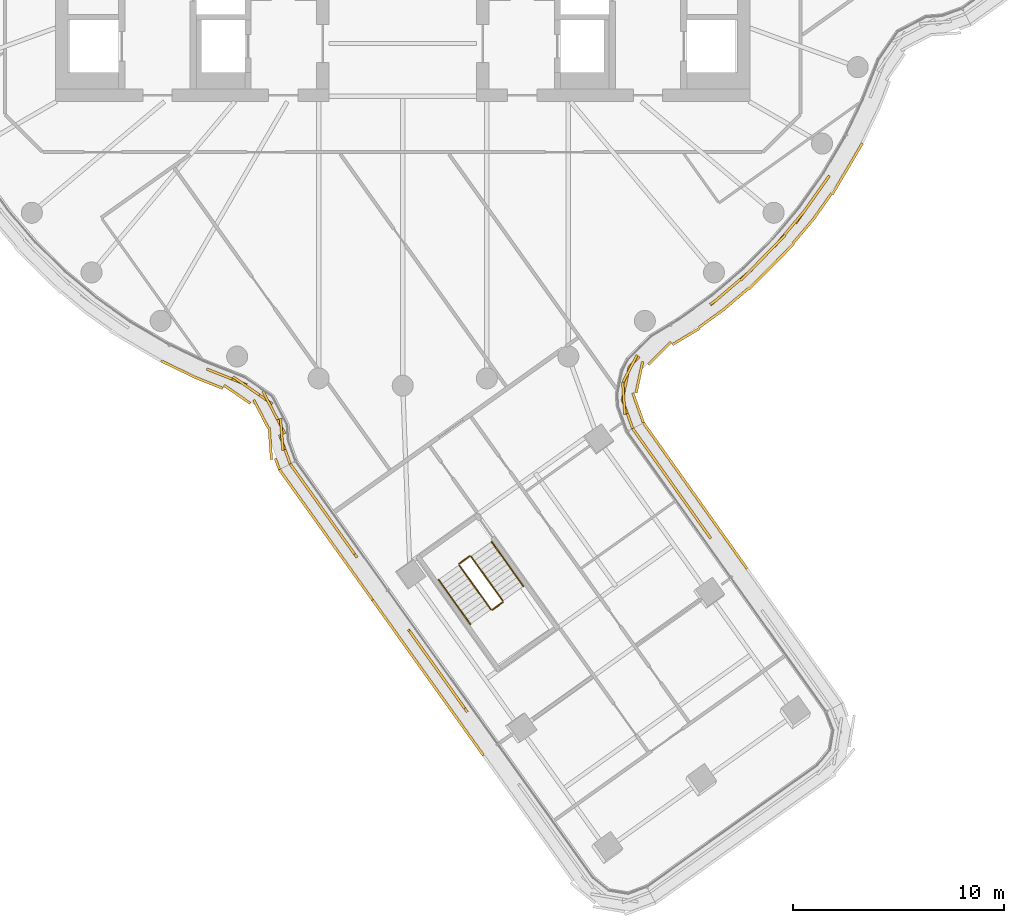
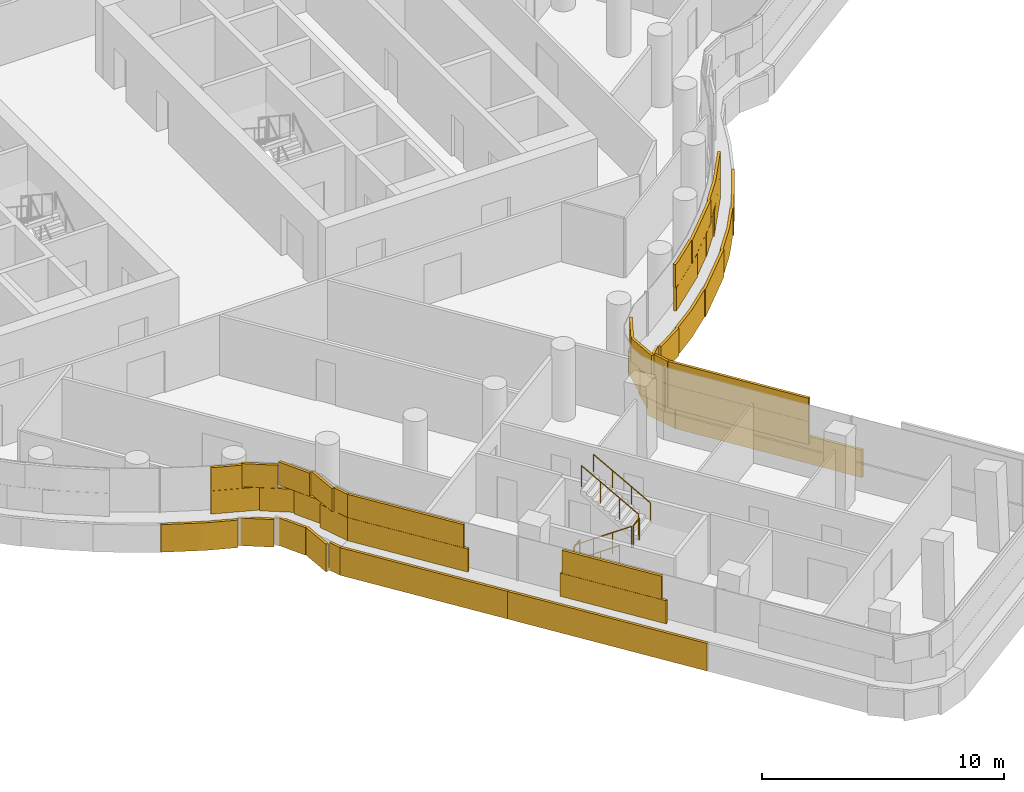
# One storey, part 26 of 31: 6 railings, 5 coverings.
"""IFC4 building model written with IfcOpenShell, lengths in metres."""

from ifc_helpers import new_model, si_unit, direction, frame, origin, origin_2d, place, context, subcontext, project, spatial, rectangle, circle, extrude, material, layer, layer_set, type_object, element, save


model = new_model("IFC4")

# Units and contexts
model_context = context("Model", 3, precision=1e-05, world=origin(), true_north=direction((0.0, 1.0)))
body_context = subcontext(model_context, "Body", "Model", "MODEL_VIEW")
ifc_project = project(units=[si_unit("LENGTHUNIT", "METRE"), si_unit("AREAUNIT", "SQUARE_METRE"), si_unit("VOLUMEUNIT", "CUBIC_METRE"), si_unit("PLANEANGLEUNIT", "RADIAN"), si_unit("MASSUNIT", "GRAM", prefix="KILO")], contexts=[model_context])

# Site, building, storey
site_placement = place(None, origin())
site = spatial("IfcSite", under=ifc_project, at=site_placement, CompositionType="ELEMENT")
building_placement = place(site_placement, origin())
building = spatial("IfcBuilding", under=site, at=building_placement, Name="Tamarind Cross Interchange Tower", CompositionType="ELEMENT")
storey_placement = place(building_placement, frame((0.0, 0.0, 163.0)))
storey = spatial("IfcBuildingStorey", under=building, at=storey_placement, Name="L40", CompositionType="ELEMENT", Elevation=163.0)

# Railings
ifc_material_1 = material(Name="Stair guard")
railing_type_1 = type_object("IfcRailingType", Name="Stair guard", PredefinedType="GUARDRAIL", material=ifc_material_1)
railing_1_placement = place(storey_placement, frame((2.677001953125, -31.515625, 0.17041015625)))
element("IfcRailing", 1, at=railing_1_placement, inside=storey, type_object=railing_type_1, Name="L40 ST6 stair guard 1", PredefinedType="GUARDRAIL", context=body_context, shape_type="SweptSolid", body=[
    extrude(circle(Radius=0.02392578125, at=origin_2d()), frame((0.0, 0.0, 1.076171875), z_axis=(0.485940445754, -0.680615036095, 0.548292855892), x_axis=(0.813854004365, 0.581069410293, 0.0)), (0.0, 0.0, 1.0), 3.10888671875),
    extrude(circle(Radius=0.02099609375, at=origin_2d()), origin(), (0.0, 0.0, 1.0), 1.052001953125),
    extrude(circle(Radius=0.02099609375, at=origin_2d()), frame((0.503662109375, -0.705322265625, 0.568115234375)), (0.0, 0.0, 1.0), 1.052001953125),
    extrude(circle(Radius=0.02099609375, at=origin_2d()), frame((1.007080078125, -1.41064453125, 1.136474609375)), (0.0, 0.0, 1.0), 1.052001953125),
    extrude(circle(Radius=0.02099609375, at=origin_2d()), frame((1.5107421875, -2.115966796875, 1.70458984375)), (0.0, 0.0, 1.0), 1.052001953125),
])
railing_2_placement = place(storey_placement, frame((4.257568359375, -33.643310546875, 1.875)))
element("IfcRailing", 2, at=railing_2_placement, inside=storey, type_object=railing_type_1, Name="L40 ST6 stair guard 2", PredefinedType="GUARDRAIL", context=body_context, shape_type="SweptSolid", body=[
    extrude(circle(Radius=0.02392578125, at=origin_2d()), frame((0.0, 0.0, 1.076171875), z_axis=(0.813843435483, 0.581084212935, 0.0), x_axis=(-0.581084212935, 0.813843435483, 0.0)), (0.0, 0.0, 1.0), 0.599853515625),
    extrude(circle(Radius=0.02099609375, at=origin_2d()), origin(), (0.0, 0.0, 1.0), 1.052001953125),
    extrude(circle(Radius=0.02099609375, at=origin_2d()), frame((0.48828125, 0.3486328125, 0.0)), (0.0, 0.0, 1.0), 1.052001953125),
])
railing_3_placement = place(storey_placement, frame((4.757568359375, -33.224853515625, 2.04541015625)))
element("IfcRailing", 3, at=railing_3_placement, inside=storey, type_object=railing_type_1, Name="L40 ST6 stair guard 3", PredefinedType="GUARDRAIL", context=body_context, shape_type="SweptSolid", body=[
    extrude(circle(Radius=0.02392578125, at=origin_2d()), frame((0.0, 0.0, 1.076171875), z_axis=(-0.485940445754, 0.680615036095, 0.548292855892), x_axis=(-0.813854004365, -0.581069410293, 0.0)), (0.0, 0.0, 1.0), 3.10888671875),
    extrude(circle(Radius=0.02099609375, at=origin_2d()), origin(), (0.0, 0.0, 1.0), 1.052001953125),
    extrude(circle(Radius=0.02099609375, at=origin_2d()), frame((-0.503662109375, 0.705322265625, 0.568115234375)), (0.0, 0.0, 1.0), 1.052001953125),
    extrude(circle(Radius=0.02099609375, at=origin_2d()), frame((-1.007080078125, 1.41064453125, 1.136474609375)), (0.0, 0.0, 1.0), 1.052001953125),
    extrude(circle(Radius=0.02099609375, at=origin_2d()), frame((-1.5107421875, 2.115966796875, 1.70458984375)), (0.0, 0.0, 1.0), 1.052001953125),
])
railing_4_placement = place(storey_placement, frame((2.688720703125, -31.44580078125, 0.0)))
element("IfcRailing", 4, at=railing_4_placement, inside=storey, type_object=railing_type_1, Name="L40 ST6 stair guard 4", PredefinedType="GUARDRAIL", context=body_context, shape_type="SweptSolid", body=[
    extrude(circle(Radius=0.02392578125, at=origin_2d()), frame((0.0, 0.0, 1.076171875), z_axis=(0.813843435483, 0.581084212935, 0.0), x_axis=(-0.581084212935, 0.813843435483, 0.0)), (0.0, 0.0, 1.0), 0.599853515625),
    extrude(circle(Radius=0.02099609375, at=origin_2d()), origin(), (0.0, 0.0, 1.0), 1.052001953125),
    extrude(circle(Radius=0.02099609375, at=origin_2d()), frame((0.48828125, 0.3486328125, 0.0)), (0.0, 0.0, 1.0), 1.052001953125),
])
ifc_material_2 = material(Name="Stair handrail")
railing_type_2 = type_object("IfcRailingType", Name="Stair handrail", PredefinedType="HANDRAIL", material=ifc_material_2)
railing_5_placement = place(storey_placement, frame((1.700439453125, -32.212890625, 0.17041015625)))
element("IfcRailing", 5, at=railing_5_placement, inside=storey, type_object=railing_type_2, Name="L40 ST6 stair handrail 1", PredefinedType="HANDRAIL", context=body_context, shape_type="SweptSolid", body=[
    extrude(circle(Radius=0.02392578125, at=origin_2d()), frame((0.0, 0.0, 0.8759765625), z_axis=(0.485940445754, -0.680615036095, 0.548292855892), x_axis=(0.813854004365, 0.581069410293, 0.0)), (0.0, 0.0, 1.0), 3.10888671875),
    extrude(circle(Radius=0.02099609375, at=origin_2d()), origin(), (0.0, 0.0, 1.0), 0.851806640625),
    extrude(circle(Radius=0.02099609375, at=origin_2d()), frame((0.503662109375, -0.705322265625, 0.568115234375)), (0.0, 0.0, 1.0), 0.851806640625),
    extrude(circle(Radius=0.02099609375, at=origin_2d()), frame((1.007080078125, -1.41064453125, 1.136474609375)), (0.0, 0.0, 1.0), 0.851806640625),
    extrude(circle(Radius=0.02099609375, at=origin_2d()), frame((1.5107421875, -2.115966796875, 1.70458984375)), (0.0, 0.0, 1.0), 0.851806640625),
])
railing_6_placement = place(storey_placement, frame((5.734130859375, -32.527587890625, 2.04541015625)))
element("IfcRailing", 6, at=railing_6_placement, inside=storey, type_object=railing_type_2, Name="L40 ST6 stair handrail 2", PredefinedType="HANDRAIL", context=body_context, shape_type="SweptSolid", body=[
    extrude(circle(Radius=0.02392578125, at=origin_2d()), frame((0.0, 0.0, 0.8759765625), z_axis=(-0.485940445754, 0.680615036095, 0.548292855892), x_axis=(-0.813854004365, -0.581069410293, 0.0)), (0.0, 0.0, 1.0), 3.10888671875),
    extrude(circle(Radius=0.02099609375, at=origin_2d()), origin(), (0.0, 0.0, 1.0), 0.851806640625),
    extrude(circle(Radius=0.02099609375, at=origin_2d()), frame((-0.503662109375, 0.705322265625, 0.568115234375)), (0.0, 0.0, 1.0), 0.851806640625),
    extrude(circle(Radius=0.02099609375, at=origin_2d()), frame((-1.007080078125, 1.41064453125, 1.136474609375)), (0.0, 0.0, 1.0), 0.851806640625),
    extrude(circle(Radius=0.02099609375, at=origin_2d()), frame((-1.5107421875, 2.115966796875, 1.70458984375)), (0.0, 0.0, 1.0), 0.851806640625),
])

# Coverings
ifc_material_3 = material(Name="Terracotta", Category="masonry")
ifc_layer = layer(ifc_material_3, 0.1201171875)
ifc_layer_set = layer_set([ifc_layer], Name="Terracotta")
covering_type = type_object("IfcCoveringType", Name="Terracotta baguette screen unit", PredefinedType="MOLDING", material=ifc_layer_set)
covering_1_placement = place(storey_placement, origin())
element("IfcCovering", 7, at=covering_1_placement, inside=storey, type_object=covering_type, Name="SCR-L40-01-01", PredefinedType="MOLDING", context=body_context, shape_type="SweptSolid", body=[
    extrude(rectangle(XDim=0.58349609375, YDim=0.1201171875, at=origin_2d()), frame((14.461669921875, -30.014404296875, 1.404052734375), z_axis=(0.0, 0.0, 1.0), x_axis=(-0.579158818828, 0.815214734027, 0.0)), (0.0, 0.0, 1.0), 1.1669921875),
    extrude(rectangle(XDim=1.52001953125, YDim=0.1201171875, at=origin_2d()), frame((13.861328125, -29.169189453125, 1.404052734375), z_axis=(0.0, 0.0, 1.0), x_axis=(-0.579158818828, 0.815214734027, 0.0)), (0.0, 0.0, 1.0), 1.1669921875),
    extrude(rectangle(XDim=1.52001953125, YDim=0.1201171875, at=origin_2d()), frame((12.99267578125, -27.946533203125, 1.404052734375), z_axis=(0.0, 0.0, 1.0), x_axis=(-0.579158818828, 0.815214734027, 0.0)), (0.0, 0.0, 1.0), 1.1669921875),
    extrude(rectangle(XDim=1.52001953125, YDim=0.1201171875, at=origin_2d()), frame((12.123779296875, -26.7236328125, 1.404052734375), z_axis=(0.0, 0.0, 1.0), x_axis=(-0.579158818828, 0.815214734027, 0.0)), (0.0, 0.0, 1.0), 1.1669921875),
    extrude(rectangle(XDim=1.3330078125, YDim=0.1201171875, at=origin_2d()), frame((11.306396484375, -25.572998046875, 1.404052734375), z_axis=(0.0, 0.0, 1.0), x_axis=(-0.579158818828, 0.815214734027, 0.0)), (0.0, 0.0, 1.0), 1.1669921875),
    extrude(rectangle(XDim=1.33349609375, YDim=0.1201171875, at=origin_2d()), frame((14.24462890625, -29.708740234375, 2.5791015625), z_axis=(0.0, 0.0, 1.0), x_axis=(-0.579158818828, 0.815214734027, 0.0)), (0.0, 0.0, 1.0), 1.1669921875),
    extrude(rectangle(XDim=1.52001953125, YDim=0.1201171875, at=origin_2d()), frame((13.427001953125, -28.557861328125, 2.5791015625), z_axis=(0.0, 0.0, 1.0), x_axis=(-0.579158818828, 0.815214734027, 0.0)), (0.0, 0.0, 1.0), 1.1669921875),
    extrude(rectangle(XDim=1.52001953125, YDim=0.1201171875, at=origin_2d()), frame((12.55810546875, -27.3349609375, 2.5791015625), z_axis=(0.0, 0.0, 1.0), x_axis=(-0.579158818828, 0.815214734027, 0.0)), (0.0, 0.0, 1.0), 1.1669921875),
    extrude(rectangle(XDim=1.52001953125, YDim=0.1201171875, at=origin_2d()), frame((11.689453125, -26.1123046875, 2.5791015625), z_axis=(0.0, 0.0, 1.0), x_axis=(-0.579158818828, 0.815214734027, 0.0)), (0.0, 0.0, 1.0), 1.1669921875),
    extrude(rectangle(XDim=0.5830078125, YDim=0.1201171875, at=origin_2d()), frame((11.089111328125, -25.267333984375, 2.5791015625), z_axis=(0.0, 0.0, 1.0), x_axis=(-0.579158818828, 0.815214734027, 0.0)), (0.0, 0.0, 1.0), 1.1669921875),
    extrude(rectangle(XDim=1.185546875, YDim=0.1201171875, at=origin_2d()), frame((16.01318359375, -31.207275390625, 0.00390625), z_axis=(0.0, 0.0, 1.0), x_axis=(-0.579158818828, 0.815214734027, 0.0)), (0.0, 0.0, 1.0), 1.39208984375),
    extrude(rectangle(XDim=1.52001953125, YDim=0.1201171875, at=origin_2d()), frame((15.241455078125, -30.120849609375, 0.00390625), z_axis=(0.0, 0.0, 1.0), x_axis=(-0.579158818828, 0.815214734027, 0.0)), (0.0, 0.0, 1.0), 1.39208984375),
    extrude(rectangle(XDim=1.52001953125, YDim=0.1201171875, at=origin_2d()), frame((14.37255859375, -28.89794921875, 0.00390625), z_axis=(0.0, 0.0, 1.0), x_axis=(-0.579158818828, 0.815214734027, 0.0)), (0.0, 0.0, 1.0), 1.39208984375),
    extrude(rectangle(XDim=1.52001953125, YDim=0.1201171875, at=origin_2d()), frame((13.50390625, -27.675048828125, 0.00390625), z_axis=(0.0, 0.0, 1.0), x_axis=(-0.579158818828, 0.815214734027, 0.0)), (0.0, 0.0, 1.0), 1.39208984375),
    extrude(rectangle(XDim=1.52001953125, YDim=0.1201171875, at=origin_2d()), frame((12.63525390625, -26.452392578125, 0.00390625), z_axis=(0.0, 0.0, 1.0), x_axis=(-0.579158818828, 0.815214734027, 0.0)), (0.0, 0.0, 1.0), 1.39208984375),
    extrude(rectangle(XDim=1.3291015625, YDim=0.1201171875, at=origin_2d()), frame((11.82177734375, -25.307373046875, 0.00390625), z_axis=(0.0, 0.0, 1.0), x_axis=(-0.579158818828, 0.815214734027, 0.0)), (0.0, 0.0, 1.0), 1.39208984375),
])
covering_2_placement = place(storey_placement, origin())
element("IfcCovering", 8, at=covering_2_placement, inside=storey, type_object=covering_type, Name="SCR-L40-02-00", PredefinedType="MOLDING", context=body_context, shape_type="SweptSolid", body=[
    extrude(rectangle(XDim=1.510009765625, YDim=0.1201171875, at=origin_2d()), frame((10.669921875, -24.32763671875, 1.404052734375), z_axis=(0.0, 0.0, 1.0), x_axis=(-0.337657913915, 0.941268895253, 0.0)), (0.0, 0.0, 1.0), 1.1669921875),
    extrude(rectangle(XDim=1.52001953125, YDim=0.1201171875, at=origin_2d()), frame((10.59814453125, -22.86669921875, 1.404052734375), z_axis=(0.0, 0.0, 1.0), x_axis=(0.205241953817, 0.978711265079, 0.0)), (0.0, 0.0, 1.0), 1.1669921875),
    extrude(rectangle(XDim=0.699462890625, YDim=0.1201171875, at=origin_2d()), frame((10.995849609375, -21.86474609375, 1.404052734375), z_axis=(0.0, 0.0, 1.0), x_axis=(0.705464657809, 0.708745099865, 0.0)), (0.0, 0.0, 1.0), 1.1669921875),
    extrude(rectangle(XDim=1.120361328125, YDim=0.1201171875, at=origin_2d()), frame((15.043701171875, -18.7998046875, 1.404052734375), z_axis=(0.0, 0.0, 1.0), x_axis=(0.760295606781, 0.64957723968, 0.0)), (0.0, 0.0, 1.0), 1.1669921875),
    extrude(rectangle(XDim=1.52001953125, YDim=0.1201171875, at=origin_2d()), frame((16.0361328125, -17.951904296875, 1.404052734375), z_axis=(0.0, 0.0, 1.0), x_axis=(0.760295606781, 0.64957723968, 0.0)), (0.0, 0.0, 1.0), 1.1669921875),
    extrude(rectangle(XDim=1.52001953125, YDim=0.1201171875, at=origin_2d()), frame((17.1181640625, -16.914794921875, 1.404052734375), z_axis=(0.0, 0.0, 1.0), x_axis=(0.704057148523, 0.710143317658, 0.0)), (0.0, 0.0, 1.0), 1.1669921875),
    extrude(rectangle(XDim=1.52001953125, YDim=0.1201171875, at=origin_2d()), frame((18.14111328125, -15.8193359375, 1.404052734375), z_axis=(0.0, 0.0, 1.0), x_axis=(0.643009266048, 0.765858396687, 0.0)), (0.0, 0.0, 1.0), 1.1669921875),
    extrude(rectangle(XDim=1.52001953125, YDim=0.1201171875, at=origin_2d()), frame((19.10205078125, -14.667724609375, 1.404052734375), z_axis=(0.0, 0.0, 1.0), x_axis=(0.577568978284, 0.816341886298, 0.0)), (0.0, 0.0, 1.0), 1.1669921875),
    extrude(rectangle(XDim=1.267822265625, YDim=0.1201171875, at=origin_2d()), frame((19.8984375, -13.542236328125, 1.404052734375), z_axis=(0.0, 0.0, 1.0), x_axis=(0.577568978284, 0.816341886298, 0.0)), (0.0, 0.0, 1.0), 1.1669921875),
    extrude(rectangle(XDim=0.760009765625, YDim=0.1201171875, at=origin_2d()), frame((10.796630859375, -24.6806640625, 2.5791015625), z_axis=(0.0, 0.0, 1.0), x_axis=(-0.337657913915, 0.941268895253, 0.0)), (0.0, 0.0, 1.0), 1.1669921875),
    extrude(rectangle(XDim=1.52001953125, YDim=0.1201171875, at=origin_2d()), frame((10.49951171875, -23.6044921875, 2.5791015625), z_axis=(0.0, 0.0, 1.0), x_axis=(-0.06880391985, 0.997630202336, 0.0)), (0.0, 0.0, 1.0), 1.1669921875),
    extrude(rectangle(XDim=1.449462890625, YDim=0.1201171875, at=origin_2d()), frame((10.8017578125, -22.18212890625, 2.5791015625), z_axis=(0.0, 0.0, 1.0), x_axis=(0.463800461127, 0.885939688838, 0.0)), (0.0, 0.0, 1.0), 1.1669921875),
    extrude(rectangle(XDim=0.370361328125, YDim=0.1201171875, at=origin_2d()), frame((14.750732421875, -19.033447265625, 2.5791015625), z_axis=(0.0, 0.0, 1.0), x_axis=(0.811340475102, 0.584573890505, 0.0)), (0.0, 0.0, 1.0), 1.1669921875),
    extrude(rectangle(XDim=1.52001953125, YDim=0.1201171875, at=origin_2d()), frame((15.4658203125, -18.439208984375, 2.5791015625), z_axis=(0.0, 0.0, 1.0), x_axis=(0.760295606781, 0.64957723968, 0.0)), (0.0, 0.0, 1.0), 1.1669921875),
    extrude(rectangle(XDim=1.52001953125, YDim=0.1201171875, at=origin_2d()), frame((16.590087890625, -17.447509765625, 2.5791015625), z_axis=(0.0, 0.0, 1.0), x_axis=(0.704057148523, 0.710143317658, 0.0)), (0.0, 0.0, 1.0), 1.1669921875),
    extrude(rectangle(XDim=1.52001953125, YDim=0.1201171875, at=origin_2d()), frame((17.646240234375, -16.38232421875, 2.5791015625), z_axis=(0.0, 0.0, 1.0), x_axis=(0.704057148523, 0.710143317658, 0.0)), (0.0, 0.0, 1.0), 1.1669921875),
    extrude(rectangle(XDim=1.52001953125, YDim=0.1201171875, at=origin_2d()), frame((18.623291015625, -15.244873046875, 2.5791015625), z_axis=(0.0, 0.0, 1.0), x_axis=(0.643009266048, 0.765858396687, 0.0)), (0.0, 0.0, 1.0), 1.1669921875),
    extrude(rectangle(XDim=1.52001953125, YDim=0.1201171875, at=origin_2d()), frame((19.53515625, -14.0556640625, 2.5791015625), z_axis=(0.0, 0.0, 1.0), x_axis=(0.577568978284, 0.816341886298, 0.0)), (0.0, 0.0, 1.0), 1.1669921875),
    extrude(rectangle(XDim=0.517822265625, YDim=0.1201171875, at=origin_2d()), frame((20.114990234375, -13.236083984375, 2.5791015625), z_axis=(0.0, 0.0, 1.0), x_axis=(0.577568978284, 0.816341886298, 0.0)), (0.0, 0.0, 1.0), 1.1669921875),
    extrude(rectangle(XDim=1.510009765625, YDim=0.1201171875, at=origin_2d()), frame((11.181884765625, -24.054931640625, 0.00390625), z_axis=(0.0, 0.0, 1.0), x_axis=(-0.337657913915, 0.941268895253, 0.0)), (0.0, 0.0, 1.0), 1.39208984375),
    extrude(rectangle(XDim=1.52001953125, YDim=0.1201171875, at=origin_2d()), frame((11.241455078125, -22.595703125, 0.00390625), z_axis=(0.0, 0.0, 1.0), x_axis=(0.205241953817, 0.978711265079, 0.0)), (0.0, 0.0, 1.0), 1.39208984375),
    extrude(rectangle(XDim=1.52001953125, YDim=0.1201171875, at=origin_2d()), frame((12.203857421875, -21.464599609375, 0.00390625), z_axis=(0.0, 0.0, 1.0), x_axis=(0.705464657809, 0.708745099865, 0.0)), (0.0, 0.0, 1.0), 1.39208984375),
    extrude(rectangle(XDim=1.52001953125, YDim=0.1201171875, at=origin_2d()), frame((13.461669921875, -20.656005859375, 0.00390625), z_axis=(0.0, 0.0, 1.0), x_axis=(0.856156410424, 0.516716751122, 0.0)), (0.0, 0.0, 1.0), 1.39208984375),
    extrude(rectangle(XDim=1.52001953125, YDim=0.1201171875, at=origin_2d()), frame((14.684814453125, -19.788330078125, 0.00390625), z_axis=(0.0, 0.0, 1.0), x_axis=(0.811340475102, 0.584573890505, 0.0)), (0.0, 0.0, 1.0), 1.39208984375),
    extrude(rectangle(XDim=1.52001953125, YDim=0.1201171875, at=origin_2d()), frame((15.859619140625, -18.857666015625, 0.00390625), z_axis=(0.0, 0.0, 1.0), x_axis=(0.760295606781, 0.64957723968, 0.0)), (0.0, 0.0, 1.0), 1.39208984375),
    extrude(rectangle(XDim=1.52001953125, YDim=0.1201171875, at=origin_2d()), frame((16.983642578125, -17.865966796875, 0.00390625), z_axis=(0.0, 0.0, 1.0), x_axis=(0.704057148523, 0.710143317658, 0.0)), (0.0, 0.0, 1.0), 1.39208984375),
    extrude(rectangle(XDim=1.52001953125, YDim=0.1201171875, at=origin_2d()), frame((18.039794921875, -16.80078125, 0.00390625), z_axis=(0.0, 0.0, 1.0), x_axis=(0.704057148523, 0.710143317658, 0.0)), (0.0, 0.0, 1.0), 1.39208984375),
    extrude(rectangle(XDim=1.52001953125, YDim=0.1201171875, at=origin_2d()), frame((19.01953125, -15.665771484375, 0.00390625), z_axis=(0.0, 0.0, 1.0), x_axis=(0.643009266048, 0.765858396687, 0.0)), (0.0, 0.0, 1.0), 1.39208984375),
    extrude(rectangle(XDim=1.52001953125, YDim=0.1201171875, at=origin_2d()), frame((19.937255859375, -14.48095703125, 0.00390625), z_axis=(0.0, 0.0, 1.0), x_axis=(0.577568978284, 0.816341886298, 0.0)), (0.0, 0.0, 1.0), 1.39208984375),
    extrude(rectangle(XDim=1.52001953125, YDim=0.1201171875, at=origin_2d()), frame((20.79150390625, -13.24853515625, 0.00390625), z_axis=(0.0, 0.0, 1.0), x_axis=(0.508183308752, 0.861248933065, 0.0)), (0.0, 0.0, 1.0), 1.39208984375),
    extrude(rectangle(XDim=1.30810546875, YDim=0.1201171875, at=origin_2d()), frame((21.5, -12.0478515625, 0.00390625), z_axis=(0.0, 0.0, 1.0), x_axis=(0.508183308752, 0.861248933065, 0.0)), (0.0, 0.0, 1.0), 1.39208984375),
])
covering_3_placement = place(storey_placement, origin())
element("IfcCovering", 9, at=covering_3_placement, inside=storey, type_object=covering_type, Name="SCR-L40-14-01", PredefinedType="MOLDING", context=body_context, shape_type="SweptSolid", body=[
    extrude(rectangle(XDim=0.55224609375, YDim=0.1201171875, at=origin_2d()), frame((-9.058837890625, -22.305419921875, 1.404052734375), z_axis=(0.0, 0.0, 1.0), x_axis=(0.929638518993, -0.368472826685, 0.0)), (0.0, 0.0, 1.0), 1.1669921875),
    extrude(rectangle(XDim=1.52001953125, YDim=0.1201171875, at=origin_2d()), frame((-8.109619140625, -22.681640625, 1.404052734375), z_axis=(0.0, 0.0, 1.0), x_axis=(0.929638518993, -0.368472826685, 0.0)), (0.0, 0.0, 1.0), 1.1669921875),
    extrude(rectangle(XDim=1.52001953125, YDim=0.1201171875, at=origin_2d()), frame((-6.821044921875, -23.432861328125, 1.404052734375), z_axis=(0.0, 0.0, 1.0), x_axis=(0.823085958807, -0.567916811175, 0.0)), (0.0, 0.0, 1.0), 1.1669921875),
    extrude(rectangle(XDim=1.52001953125, YDim=0.1201171875, at=origin_2d()), frame((-5.947998046875, -24.603515625, 1.404052734375), z_axis=(0.0, 0.0, 1.0), x_axis=(0.460191844136, -0.887819501132, 0.0)), (0.0, 0.0, 1.0), 1.1669921875),
    extrude(rectangle(XDim=1.4814453125, YDim=0.1201171875, at=origin_2d()), frame((-5.595947265625, -26.0234375, 1.404052734375), z_axis=(0.0, 0.0, 1.0), x_axis=(0.340894059929, -0.94010171785, 0.0)), (0.0, 0.0, 1.0), 1.1669921875),
    extrude(rectangle(XDim=1.30224609375, YDim=0.1201171875, at=origin_2d()), frame((-8.710205078125, -22.443603515625, 2.5791015625), z_axis=(0.0, 0.0, 1.0), x_axis=(0.929638518993, -0.368472826685, 0.0)), (0.0, 0.0, 1.0), 1.1669921875),
    extrude(rectangle(XDim=1.52001953125, YDim=0.1201171875, at=origin_2d()), frame((-7.4384765625, -23.0068359375, 2.5791015625), z_axis=(0.0, 0.0, 1.0), x_axis=(0.823085958807, -0.567916811175, 0.0)), (0.0, 0.0, 1.0), 1.1669921875),
    extrude(rectangle(XDim=1.52001953125, YDim=0.1201171875, at=origin_2d()), frame((-6.293212890625, -23.937744140625, 2.5791015625), z_axis=(0.0, 0.0, 1.0), x_axis=(0.460191844136, -0.887819501132, 0.0)), (0.0, 0.0, 1.0), 1.1669921875),
    extrude(rectangle(XDim=1.52001953125, YDim=0.1201171875, at=origin_2d()), frame((-5.748291015625, -25.310546875, 2.5791015625), z_axis=(0.0, 0.0, 1.0), x_axis=(0.075666326087, -0.997133194261, 0.0)), (0.0, 0.0, 1.0), 1.1669921875),
    extrude(rectangle(XDim=0.7314453125, YDim=0.1201171875, at=origin_2d()), frame((-5.468017578125, -26.3759765625, 2.5791015625), z_axis=(0.0, 0.0, 1.0), x_axis=(0.340894059929, -0.94010171785, 0.0)), (0.0, 0.0, 1.0), 1.1669921875),
    extrude(rectangle(XDim=0.2119140625, YDim=0.1201171875, at=origin_2d()), frame((-11.382080078125, -21.864990234375, 0.00390625), z_axis=(0.0, 0.0, 1.0), x_axis=(0.900272776334, -0.435326231914, 0.0)), (0.0, 0.0, 1.0), 1.39208984375),
    extrude(rectangle(XDim=1.52001953125, YDim=0.1201171875, at=origin_2d()), frame((-10.62060546875, -22.2333984375, 0.00390625), z_axis=(0.0, 0.0, 1.0), x_axis=(0.900272776334, -0.435326231914, 0.0)), (0.0, 0.0, 1.0), 1.39208984375),
    extrude(rectangle(XDim=1.52001953125, YDim=0.1201171875, at=origin_2d()), frame((-9.25244140625, -22.84619140625, 0.00390625), z_axis=(0.0, 0.0, 1.0), x_axis=(0.929638518993, -0.368472826685, 0.0)), (0.0, 0.0, 1.0), 1.39208984375),
    extrude(rectangle(XDim=1.52001953125, YDim=0.1201171875, at=origin_2d()), frame((-7.8642578125, -23.410400390625, 0.00390625), z_axis=(0.0, 0.0, 1.0), x_axis=(0.823085958807, -0.567916811175, 0.0)), (0.0, 0.0, 1.0), 1.39208984375),
    extrude(rectangle(XDim=1.52001953125, YDim=0.1201171875, at=origin_2d()), frame((-6.72705078125, -24.34814453125, 0.00390625), z_axis=(0.0, 0.0, 1.0), x_axis=(0.460191844136, -0.887819501132, 0.0)), (0.0, 0.0, 1.0), 1.39208984375),
    extrude(rectangle(XDim=1.52001953125, YDim=0.1201171875, at=origin_2d()), frame((-6.290283203125, -25.751953125, 0.00390625), z_axis=(0.0, 0.0, 1.0), x_axis=(0.075666326087, -0.997133194261, 0.0)), (0.0, 0.0, 1.0), 1.39208984375),
    extrude(rectangle(XDim=0.568115234375, YDim=0.1201171875, at=origin_2d()), frame((-5.954833984375, -26.7177734375, 0.00390625), z_axis=(0.0, 0.0, 1.0), x_axis=(0.340894059929, -0.94010171785, 0.0)), (0.0, 0.0, 1.0), 1.39208984375),
])
covering_4_placement = place(storey_placement, origin())
element("IfcCovering", 10, at=covering_4_placement, inside=storey, type_object=covering_type, Name="SCR-L40-15-00", PredefinedType="MOLDING", context=body_context, shape_type="SweptSolid", body=[
    extrude(rectangle(XDim=1.510009765625, YDim=0.1201171875, at=origin_2d()), frame((-4.909423828125, -27.32568359375, 1.404052734375), z_axis=(0.0, 0.0, 1.0), x_axis=(0.581032556811, -0.81388031548, 0.0)), (0.0, 0.0, 1.0), 1.1669921875),
    extrude(rectangle(XDim=1.52001953125, YDim=0.1201171875, at=origin_2d()), frame((-4.037841796875, -28.54638671875, 1.404052734375), z_axis=(0.0, 0.0, 1.0), x_axis=(0.581032556811, -0.81388031548, 0.0)), (0.0, 0.0, 1.0), 1.1669921875),
    extrude(rectangle(XDim=1.52001953125, YDim=0.1201171875, at=origin_2d()), frame((-3.166259765625, -29.767333984375, 1.404052734375), z_axis=(0.0, 0.0, 1.0), x_axis=(0.581032556811, -0.81388031548, 0.0)), (0.0, 0.0, 1.0), 1.1669921875),
    extrude(rectangle(XDim=0.973388671875, YDim=0.1201171875, at=origin_2d()), frame((-2.45068359375, -30.76953125, 1.404052734375), z_axis=(0.0, 0.0, 1.0), x_axis=(0.581032556811, -0.81388031548, 0.0)), (0.0, 0.0, 1.0), 1.1669921875),
    extrude(rectangle(XDim=0.760009765625, YDim=0.1201171875, at=origin_2d()), frame((-5.127197265625, -27.0205078125, 2.5791015625), z_axis=(0.0, 0.0, 1.0), x_axis=(0.581032556811, -0.81388031548, 0.0)), (0.0, 0.0, 1.0), 1.1669921875),
    extrude(rectangle(XDim=1.52001953125, YDim=0.1201171875, at=origin_2d()), frame((-4.4736328125, -27.93603515625, 2.5791015625), z_axis=(0.0, 0.0, 1.0), x_axis=(0.581032556811, -0.81388031548, 0.0)), (0.0, 0.0, 1.0), 1.1669921875),
    extrude(rectangle(XDim=1.52001953125, YDim=0.1201171875, at=origin_2d()), frame((-3.60205078125, -29.15673828125, 2.5791015625), z_axis=(0.0, 0.0, 1.0), x_axis=(0.581032556811, -0.81388031548, 0.0)), (0.0, 0.0, 1.0), 1.1669921875),
    extrude(rectangle(XDim=1.52001953125, YDim=0.1201171875, at=origin_2d()), frame((-2.73046875, -30.377685546875, 2.5791015625), z_axis=(0.0, 0.0, 1.0), x_axis=(0.581032556811, -0.81388031548, 0.0)), (0.0, 0.0, 1.0), 1.1669921875),
    extrude(rectangle(XDim=1.510009765625, YDim=0.1201171875, at=origin_2d()), frame((-5.41943359375, -27.59912109375, 0.00390625), z_axis=(0.0, 0.0, 1.0), x_axis=(0.581032556811, -0.81388031548, 0.0)), (0.0, 0.0, 1.0), 1.39208984375),
    extrude(rectangle(XDim=1.52001953125, YDim=0.1201171875, at=origin_2d()), frame((-4.55078125, -28.81591796875, 0.00390625), z_axis=(0.0, 0.0, 1.0), x_axis=(0.581032556811, -0.81388031548, 0.0)), (0.0, 0.0, 1.0), 1.39208984375),
    extrude(rectangle(XDim=1.52001953125, YDim=0.1201171875, at=origin_2d()), frame((-3.67919921875, -30.036865234375, 0.00390625), z_axis=(0.0, 0.0, 1.0), x_axis=(0.581032556811, -0.81388031548, 0.0)), (0.0, 0.0, 1.0), 1.39208984375),
    extrude(rectangle(XDim=1.52001953125, YDim=0.1201171875, at=origin_2d()), frame((-2.8076171875, -31.257568359375, 0.00390625), z_axis=(0.0, 0.0, 1.0), x_axis=(0.581032556811, -0.81388031548, 0.0)), (0.0, 0.0, 1.0), 1.39208984375),
    extrude(rectangle(XDim=1.52001953125, YDim=0.1201171875, at=origin_2d()), frame((-1.93603515625, -32.478515625, 0.00390625), z_axis=(0.0, 0.0, 1.0), x_axis=(0.581032556811, -0.81388031548, 0.0)), (0.0, 0.0, 1.0), 1.39208984375),
    extrude(rectangle(XDim=0.12109375, YDim=0.1201171875, at=origin_2d()), frame((-1.470947265625, -33.1298828125, 0.00390625), z_axis=(0.0, 0.0, 1.0), x_axis=(0.581032556811, -0.81388031548, 0.0)), (0.0, 0.0, 1.0), 1.39208984375),
])
covering_5_placement = place(storey_placement, origin())
element("IfcCovering", 11, at=covering_5_placement, inside=storey, type_object=covering_type, Name="SCR-L40-15-01", PredefinedType="MOLDING", context=body_context, shape_type="SweptSolid", body=[
    extrude(rectangle(XDim=0.8466796875, YDim=0.1201171875, at=origin_2d()), frame((0.5126953125, -34.92041015625, 1.404052734375), z_axis=(0.0, 0.0, 1.0), x_axis=(0.581032556811, -0.81388031548, 0.0)), (0.0, 0.0, 1.0), 1.1669921875),
    extrude(rectangle(XDim=1.52001953125, YDim=0.1201171875, at=origin_2d()), frame((1.19140625, -35.871337890625, 1.404052734375), z_axis=(0.0, 0.0, 1.0), x_axis=(0.581032556811, -0.81388031548, 0.0)), (0.0, 0.0, 1.0), 1.1669921875),
    extrude(rectangle(XDim=1.52001953125, YDim=0.1201171875, at=origin_2d()), frame((2.06298828125, -37.092041015625, 1.404052734375), z_axis=(0.0, 0.0, 1.0), x_axis=(0.581032556811, -0.81388031548, 0.0)), (0.0, 0.0, 1.0), 1.1669921875),
    extrude(rectangle(XDim=0.982177734375, YDim=0.1201171875, at=origin_2d()), frame((2.78125, -38.09814453125, 1.404052734375), z_axis=(0.0, 0.0, 1.0), x_axis=(0.581032556811, -0.81388031548, 0.0)), (0.0, 0.0, 1.0), 1.1669921875),
    extrude(rectangle(XDim=1.52001953125, YDim=0.1201171875, at=origin_2d()), frame((0.755615234375, -35.260986328125, 2.5791015625), z_axis=(0.0, 0.0, 1.0), x_axis=(0.581032556811, -0.81388031548, 0.0)), (0.0, 0.0, 1.0), 1.1669921875),
    extrude(rectangle(XDim=1.52001953125, YDim=0.1201171875, at=origin_2d()), frame((1.627197265625, -36.481689453125, 2.5791015625), z_axis=(0.0, 0.0, 1.0), x_axis=(0.581032556811, -0.81388031548, 0.0)), (0.0, 0.0, 1.0), 1.1669921875),
    extrude(rectangle(XDim=1.52001953125, YDim=0.1201171875, at=origin_2d()), frame((2.498779296875, -37.70263671875, 2.5791015625), z_axis=(0.0, 0.0, 1.0), x_axis=(0.581032556811, -0.81388031548, 0.0)), (0.0, 0.0, 1.0), 1.1669921875),
    extrude(rectangle(XDim=1.39892578125, YDim=0.1201171875, at=origin_2d()), frame((-1.029296875, -33.74853515625, 0.00390625), z_axis=(0.0, 0.0, 1.0), x_axis=(0.581032556811, -0.81388031548, 0.0)), (0.0, 0.0, 1.0), 1.39208984375),
    extrude(rectangle(XDim=1.52001953125, YDim=0.1201171875, at=origin_2d()), frame((-0.19287109375, -34.920166015625, 0.00390625), z_axis=(0.0, 0.0, 1.0), x_axis=(0.581032556811, -0.81388031548, 0.0)), (0.0, 0.0, 1.0), 1.39208984375),
    extrude(rectangle(XDim=1.52001953125, YDim=0.1201171875, at=origin_2d()), frame((0.6787109375, -36.140869140625, 0.00390625), z_axis=(0.0, 0.0, 1.0), x_axis=(0.581032556811, -0.81388031548, 0.0)), (0.0, 0.0, 1.0), 1.39208984375),
    extrude(rectangle(XDim=1.52001953125, YDim=0.1201171875, at=origin_2d()), frame((1.55029296875, -37.36181640625, 0.00390625), z_axis=(0.0, 0.0, 1.0), x_axis=(0.581032556811, -0.81388031548, 0.0)), (0.0, 0.0, 1.0), 1.39208984375),
    extrude(rectangle(XDim=1.52001953125, YDim=0.1201171875, at=origin_2d()), frame((2.421630859375, -38.58251953125, 0.00390625), z_axis=(0.0, 0.0, 1.0), x_axis=(0.581032556811, -0.81388031548, 0.0)), (0.0, 0.0, 1.0), 1.39208984375),
    extrude(rectangle(XDim=1.52001953125, YDim=0.1201171875, at=origin_2d()), frame((3.293212890625, -39.803466796875, 0.00390625), z_axis=(0.0, 0.0, 1.0), x_axis=(0.581032556811, -0.81388031548, 0.0)), (0.0, 0.0, 1.0), 1.39208984375),
    extrude(rectangle(XDim=0.186767578125, YDim=0.1201171875, at=origin_2d()), frame((3.777587890625, -40.481689453125, 0.00390625), z_axis=(0.0, 0.0, 1.0), x_axis=(0.581032556811, -0.81388031548, 0.0)), (0.0, 0.0, 1.0), 1.39208984375),
])

save(model, "model.ifc")
